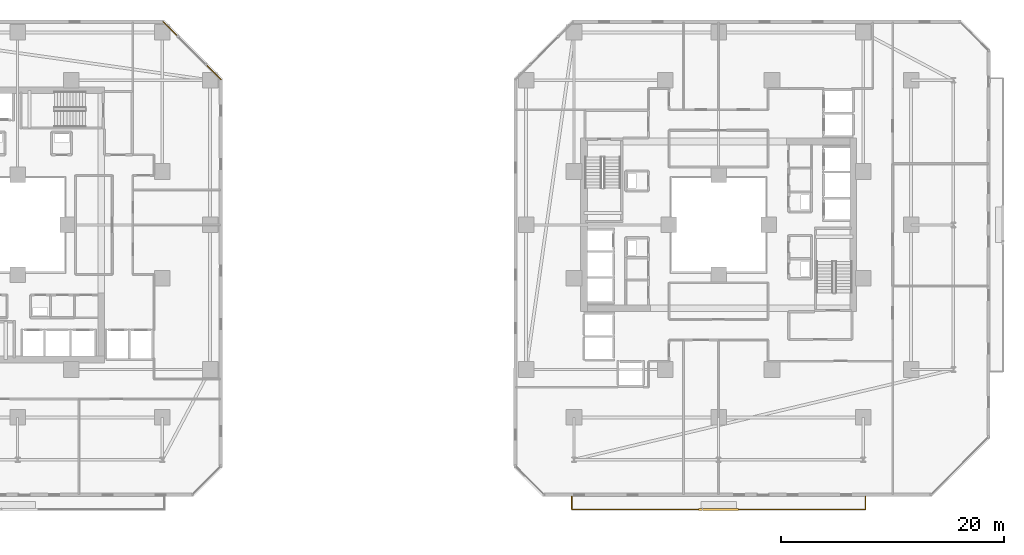
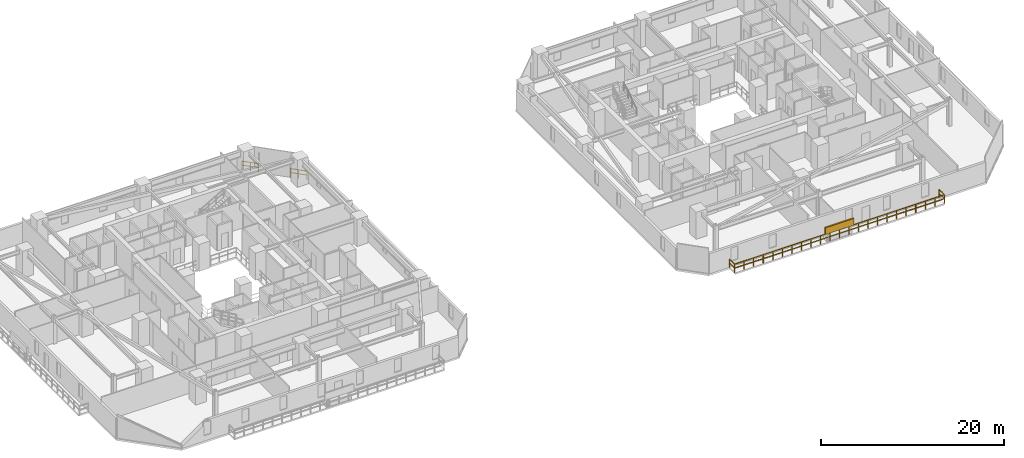
# One storey, part 31 of 33: 3 railings, 1 shading device.
"""IFC4 building model written with IfcOpenShell, lengths in metres."""

import ifcopenshell
import ifcopenshell.guid

model = None  # the IFC model being written
_history = None  # IfcOwnerHistory: only IFC2X3 demands one
_inside = {}  # id of a spatial element -> (the spatial element, [elements in it])
_under = {}  # id of a project, library or spatial element -> (it, [spatial elements below it])
_declared = {}  # id of a project -> (the project, [libraries it declares])
_typed = {}  # id of a type object -> (the type object, [elements of that type])
_made_of = {}  # id of a material, layer set ... -> (it, [elements and type objects made of it])


def new_model(schema):
    """Start an empty IFC model of exactly this schema.

    Asked for "IFC4X3", IfcOpenShell would pick the latest addendum, in which some entities
    have other attributes; the version numbers below select the first issue.
    IFC2X3 requires an IfcOwnerHistory on every rooted entity: one is made here for all.
    """
    global model, _history
    if schema == "IFC4X3":
        model = ifcopenshell.file(schema_version=(4, 3, 0, 0))
    else:
        model = ifcopenshell.file(schema=schema)
    _inside.clear()
    _under.clear()
    _declared.clear()
    _typed.clear()
    _made_of.clear()
    _history = None
    if model.schema == "IFC2X3":
        org = make("IfcOrganization", Name="unknown")
        user = make(
            "IfcPersonAndOrganization",
            ThePerson=make("IfcPerson", FamilyName="unknown"),
            TheOrganization=org,
        )
        app = make(
            "IfcApplication",
            ApplicationDeveloper=org,
            Version="unknown",
            ApplicationFullName="unknown",
            ApplicationIdentifier="unknown",
        )
        _history = make(
            "IfcOwnerHistory",
            OwningUser=user,
            OwningApplication=app,
            ChangeAction="ADDED",
            CreationDate=0,
        )
    return model


def make(cls, **values):
    """One entity of the class cls with the attributes given. An attribute that is None is left unset."""
    return model.create_entity(
        cls, **{name: value for name, value in values.items() if value is not None}
    )


def rooted(cls, **values):
    """An entity with a GlobalId (a new one), such as an element, a storey or a relation."""
    return make(cls, GlobalId=ifcopenshell.guid.new(), OwnerHistory=_history, **values)


def si_unit(unit_type, name, prefix=None):
    """IfcSIUnit, for example si_unit("LENGTHUNIT", "METRE", prefix="MILLI")."""
    return make("IfcSIUnit", UnitType=unit_type, Prefix=prefix, Name=name)


def assignment(units):
    """IfcUnitAssignment: the units of a project."""
    return None if units is None else make("IfcUnitAssignment", Units=units)


def point(xyz):
    """IfcCartesianPoint."""
    return None if xyz is None else make("IfcCartesianPoint", Coordinates=xyz)


def direction(xyz):
    """IfcDirection."""
    return None if xyz is None else make("IfcDirection", DirectionRatios=xyz)


def frame(location, z_axis=None, x_axis=None):
    """IfcAxis2Placement3D, a coordinate frame: its origin and axes. An axis left out is left unset."""
    return make(
        "IfcAxis2Placement3D",
        Location=point(location),
        Axis=direction(z_axis),
        RefDirection=direction(x_axis),
    )


def frame_2d(location, x_axis=None):
    """IfcAxis2Placement2D, a coordinate frame in the plane: its origin and x axis."""
    return make(
        "IfcAxis2Placement2D", Location=point(location), RefDirection=direction(x_axis)
    )


def origin():
    """The frame at (0, 0, 0) with its axes left unset."""
    return frame((0.0, 0.0, 0.0))


def origin_2d():
    """The frame at (0, 0) in the plane with its x axis left unset."""
    return frame_2d((0.0, 0.0))


def place(relative_to, where):
    """IfcLocalPlacement: puts the frame where relative to a parent placement (None: the world)."""
    return make(
        "IfcLocalPlacement", PlacementRelTo=relative_to, RelativePlacement=where
    )


def context(
    kind, dimensions, precision=None, world=None, true_north=None, identifier=None
):
    """IfcGeometricRepresentationContext, for example the 3D "Model" context."""
    return make(
        "IfcGeometricRepresentationContext",
        ContextIdentifier=identifier,
        ContextType=kind,
        CoordinateSpaceDimension=dimensions,
        Precision=precision,
        WorldCoordinateSystem=world,
        TrueNorth=true_north,
    )


def subcontext(parent, identifier, kind, view, scale=None):
    """IfcGeometricRepresentationSubContext, for example "Body" below "Model"."""
    return make(
        "IfcGeometricRepresentationSubContext",
        ContextIdentifier=identifier,
        ContextType=kind,
        ParentContext=parent,
        TargetScale=scale,
        TargetView=view,
    )


def project(units=None, contexts=None):
    """IfcProject with its units and contexts."""
    return rooted(
        "IfcProject",
        Name="project",
        RepresentationContexts=contexts,
        UnitsInContext=assignment(units),
    )


def spatial(cls, under=None, at=None, **own):
    """A site, building, storey or space (cls), placed at a placement, below another one or the project."""
    s = rooted(cls, ObjectPlacement=at, **own)
    if under is not None:
        _under.setdefault(under.id(), (under, []))[1].append(s)
    return s


def profile(cls, at=None, kind="AREA", **sizes):
    """A parametric profile (cls). Its sizes go by their IFC names, for example OverallWidth=200.0."""
    return make(cls, ProfileType=kind, Position=at, **sizes)


def rectangle(**sizes):
    """IfcRectangleProfileDef."""
    return profile("IfcRectangleProfileDef", **sizes)


def extrude(swept, where, along, depth):
    """IfcExtrudedAreaSolid: the profile swept, set in the frame where, extruded along a direction by depth."""
    return make(
        "IfcExtrudedAreaSolid",
        SweptArea=swept,
        Position=where,
        ExtrudedDirection=direction(along),
        Depth=depth,
    )


def shape(context_of_items, identifier, shape_type, items):
    """IfcShapeRepresentation: the items that make up one representation, for example the "Body"."""
    return make(
        "IfcShapeRepresentation",
        ContextOfItems=context_of_items,
        RepresentationIdentifier=identifier,
        RepresentationType=shape_type,
        Items=items,
    )


def material(Name=None, Category=None):
    """IfcMaterial."""
    return make("IfcMaterial", Name=Name, Category=Category)


def made_of(thing, what):
    """Note that an element or type object is made of a material, layer set ...; save() writes the relation."""
    if what is not None:
        _made_of.setdefault(what.id(), (what, []))[1].append(thing)
    return thing


def type_object(cls, material=None, **own):
    """A type object (cls), such as IfcWallType, which elements share."""
    return made_of(rooted(cls, **own), material)


def element(
    cls,
    number,
    at=None,
    inside=None,
    cuts=None,
    type_object=None,
    material=None,
    context=None,
    identifier="Body",
    shape_type=None,
    held_by="IfcProductDefinitionShape",
    body=None,
    shapes=None,
    **own,
):
    """One element of the class cls, such as IfcWall. Its Tag is "e" and its number.

    at: its placement. inside: the storey or other place that contains it. cuts: it is an
    opening in that element (IfcRelVoidsElement). A single representation is given by context,
    identifier, shape_type and body (its items); several are given by shapes. held_by: the class
    of the entity that holds the representations. save() writes the other relations.
    """
    e = rooted(cls, Tag="e%d" % number, ObjectPlacement=at, **own)
    if body is not None:
        shapes = [shape(context, identifier, shape_type, body)]
    if shapes is not None:
        e.Representation = make(held_by, Representations=shapes)
    if inside is not None:
        _inside.setdefault(inside.id(), (inside, []))[1].append(e)
    if cuts is not None:
        rooted(
            "IfcRelVoidsElement", RelatingBuildingElement=cuts, RelatedOpeningElement=e
        )
    if type_object is not None:
        _typed.setdefault(type_object.id(), (type_object, []))[1].append(e)
    return made_of(e, material)


def aggregate(whole, parts):
    """IfcRelAggregates: a whole, such as a stair, and the parts it consists of."""
    return rooted("IfcRelAggregates", RelatingObject=whole, RelatedObjects=parts)


def save(model, path):
    """Write the relations noted so far, then the file.

    IfcRelAggregates (storeys below a building ...), IfcRelContainedInSpatialStructure (elements
    in a storey), IfcRelDefinesByType, IfcRelAssociatesMaterial and IfcRelDeclares: one each for
    every whole, place, type object, material and project.
    """
    for whole, parts in _under.values():
        aggregate(whole, parts)
    for where, things in _inside.values():
        rooted(
            "IfcRelContainedInSpatialStructure",
            RelatedElements=things,
            RelatingStructure=where,
        )
    for kind, things in _typed.values():
        rooted("IfcRelDefinesByType", RelatedObjects=things, RelatingType=kind)
    for what, things in _made_of.values():
        rooted("IfcRelAssociatesMaterial", RelatedObjects=things, RelatingMaterial=what)
    for by, libraries in _declared.values():
        rooted("IfcRelDeclares", RelatingContext=by, RelatedDefinitions=libraries)
    model.write(path)


model = new_model("IFC4")

# Units and contexts
model_context = context("Model", 3, precision=1e-05, world=origin(), true_north=direction((0.0, 1.0)))
body_context = subcontext(model_context, "Body", "Model", "MODEL_VIEW")
ifc_project = project(units=[si_unit("LENGTHUNIT", "METRE"), si_unit("AREAUNIT", "SQUARE_METRE"), si_unit("VOLUMEUNIT", "CUBIC_METRE"), si_unit("PLANEANGLEUNIT", "RADIAN"), si_unit("MASSUNIT", "GRAM", prefix="KILO")], contexts=[model_context])

# Site, building, storey
site_placement = place(None, origin())
site = spatial("IfcSite", under=ifc_project, at=site_placement, CompositionType="ELEMENT")
building_placement = place(site_placement, origin())
building = spatial("IfcBuilding", under=site, at=building_placement, Name="Thornwick Lancets Civic Towers", CompositionType="ELEMENT")
storey_placement = place(building_placement, frame((0.0, 0.0, 38.699951171875)))
storey = spatial("IfcBuildingStorey", under=building, at=storey_placement, Name="L09", CompositionType="ELEMENT", Elevation=38.699951171875)

# Railings
ifc_material_1 = material(Name="Terracotta-capped laminated glass balustrade S355", Category="masonry")
railing_type = type_object("IfcRailingType", Name="RAIL_TERR_GUARD", PredefinedType="GUARDRAIL", material=ifc_material_1)
railing_1_placement = place(storey_placement, frame((43.75634765625, 40.073486328125, 0.0)))
element("IfcRailing", 1, at=railing_1_placement, inside=storey, type_object=railing_type, Name="L09 Tower A Chamfer Spandrel Guard E3-1", PredefinedType="GUARDRAIL", context=body_context, shape_type="SweptSolid", body=[
    extrude(rectangle(XDim=0.048095703125, YDim=0.048095703125, at=origin_2d()), frame((0.0, 0.0, 1.1259765625), z_axis=(-0.7071719073, 0.707041649074, 0.0), x_axis=(-0.707041649074, -0.7071719073, 0.0)), (0.0, 0.0, 1.0), 1.874267578125),
    extrude(rectangle(XDim=0.0419921875, YDim=0.0419921875, at=origin_2d()), frame((-0.026611328125, 0.026611328125, 0.597900390625), z_axis=(-0.7071719073, 0.707041649074, 0.0), x_axis=(-0.707041649074, -0.7071719073, 0.0)), (0.0, 0.0, 1.0), 0.862060546875),
    extrude(rectangle(XDim=0.0419921875, YDim=0.0419921875, at=origin_2d()), frame((-0.689208984375, 0.689208984375, 0.597900390625), z_axis=(-0.7071719073, 0.707041649074, 0.0), x_axis=(-0.707041649074, -0.7071719073, 0.0)), (0.0, 0.0, 1.0), 0.862060546875),
    extrude(rectangle(XDim=0.0419921875, YDim=0.0419921875, at=origin_2d()), origin(), (0.0, 0.0, 1.0), 1.095703125),
    extrude(rectangle(XDim=0.0419921875, YDim=0.0419921875, at=origin_2d()), frame((-0.66259765625, 0.66259765625, 0.0)), (0.0, 0.0, 1.0), 1.095703125),
    extrude(rectangle(XDim=0.0419921875, YDim=0.0419921875, at=origin_2d()), frame((-1.325439453125, 1.3251953125, 0.0)), (0.0, 0.0, 1.0), 1.095703125),
])
railing_2_placement = place(storey_placement, frame((39.898681640625, 43.930908203125, 0.0)))
element("IfcRailing", 2, at=railing_2_placement, inside=storey, type_object=railing_type, Name="L09 Tower A Chamfer Spandrel Guard E3-2", PredefinedType="GUARDRAIL", context=body_context, shape_type="SweptSolid", body=[
    extrude(rectangle(XDim=0.048095703125, YDim=0.048095703125, at=origin_2d()), frame((0.0, 0.0, 1.1259765625), z_axis=(-0.707041649074, 0.7071719073, 0.0), x_axis=(-0.7071719073, -0.707041649074, 0.0)), (0.0, 0.0, 1.0), 1.874267578125),
    extrude(rectangle(XDim=0.0419921875, YDim=0.0419921875, at=origin_2d()), frame((-0.026611328125, 0.026611328125, 0.597900390625), z_axis=(-0.707041649074, 0.7071719073, 0.0), x_axis=(-0.7071719073, -0.707041649074, 0.0)), (0.0, 0.0, 1.0), 0.862060546875),
    extrude(rectangle(XDim=0.0419921875, YDim=0.0419921875, at=origin_2d()), frame((-0.689208984375, 0.689208984375, 0.597900390625), z_axis=(-0.707041649074, 0.7071719073, 0.0), x_axis=(-0.7071719073, -0.707041649074, 0.0)), (0.0, 0.0, 1.0), 0.862060546875),
    extrude(rectangle(XDim=0.0419921875, YDim=0.0419921875, at=origin_2d()), origin(), (0.0, 0.0, 1.0), 1.095703125),
    extrude(rectangle(XDim=0.0419921875, YDim=0.0419921875, at=origin_2d()), frame((-0.66259765625, 0.66259765625, 0.0)), (0.0, 0.0, 1.0), 1.095703125),
    extrude(rectangle(XDim=0.0419921875, YDim=0.0419921875, at=origin_2d()), frame((-1.3251953125, 1.325439453125, 0.0)), (0.0, 0.0, 1.0), 1.095703125),
])
railing_3_placement = place(storey_placement, frame((75.300048828125, 2.60009765625, 0.0)))
element("IfcRailing", 3, at=railing_3_placement, inside=storey, type_object=railing_type, Name="L09 Tower B Balcony Guard S", PredefinedType="GUARDRAIL", context=body_context, shape_type="SweptSolid", body=[
    extrude(rectangle(XDim=0.048095703125, YDim=0.048095703125, at=origin_2d()), frame((0.0, 0.0, 1.1259765625), z_axis=(0.0, -1.0, 0.0), x_axis=(1.0, 0.0, 0.0)), (0.0, 0.0, 1.0), 1.138916015625),
    extrude(rectangle(XDim=0.0419921875, YDim=0.0419921875, at=origin_2d()), frame((0.0, -0.03759765625, 0.597900390625), z_axis=(0.0, -1.0, 0.0), x_axis=(1.0, 0.0, 0.0)), (0.0, 0.0, 1.0), 1.09521484375),
    extrude(rectangle(XDim=0.048095703125, YDim=0.048095703125, at=origin_2d()), frame((0.03125, -1.170166015625, 1.1259765625), z_axis=(1.0, 0.0, 0.0), x_axis=(0.0, 1.0, 0.0)), (0.0, 0.0, 1.0), 26.33740234375),
    extrude(rectangle(XDim=0.0419921875, YDim=0.0419921875, at=origin_2d()), frame((0.03759765625, -1.170166015625, 0.597900390625), z_axis=(1.0, 0.0, 0.0), x_axis=(0.0, 1.0, 0.0)), (0.0, 0.0, 1.0), 1.125),
    extrude(rectangle(XDim=0.0419921875, YDim=0.0419921875, at=origin_2d()), frame((1.237548828125, -1.170166015625, 0.597900390625), z_axis=(1.0, 0.0, 0.0), x_axis=(0.0, 1.0, 0.0)), (0.0, 0.0, 1.0), 1.125),
    extrude(rectangle(XDim=0.0419921875, YDim=0.0419921875, at=origin_2d()), frame((2.4375, -1.170166015625, 0.597900390625), z_axis=(1.0, 0.0, 0.0), x_axis=(0.0, 1.0, 0.0)), (0.0, 0.0, 1.0), 1.125),
    extrude(rectangle(XDim=0.0419921875, YDim=0.0419921875, at=origin_2d()), frame((3.637451171875, -1.170166015625, 0.597900390625), z_axis=(1.0, 0.0, 0.0), x_axis=(0.0, 1.0, 0.0)), (0.0, 0.0, 1.0), 1.125),
    extrude(rectangle(XDim=0.0419921875, YDim=0.0419921875, at=origin_2d()), frame((4.83740234375, -1.170166015625, 0.597900390625), z_axis=(1.0, 0.0, 0.0), x_axis=(0.0, 1.0, 0.0)), (0.0, 0.0, 1.0), 1.125),
    extrude(rectangle(XDim=0.0419921875, YDim=0.0419921875, at=origin_2d()), frame((6.037353515625, -1.170166015625, 0.597900390625), z_axis=(1.0, 0.0, 0.0), x_axis=(0.0, 1.0, 0.0)), (0.0, 0.0, 1.0), 1.125),
    extrude(rectangle(XDim=0.0419921875, YDim=0.0419921875, at=origin_2d()), frame((7.237548828125, -1.170166015625, 0.597900390625), z_axis=(1.0, 0.0, 0.0), x_axis=(0.0, 1.0, 0.0)), (0.0, 0.0, 1.0), 1.125),
    extrude(rectangle(XDim=0.0419921875, YDim=0.0419921875, at=origin_2d()), frame((8.4375, -1.170166015625, 0.597900390625), z_axis=(1.0, 0.0, 0.0), x_axis=(0.0, 1.0, 0.0)), (0.0, 0.0, 1.0), 1.125),
    extrude(rectangle(XDim=0.0419921875, YDim=0.0419921875, at=origin_2d()), frame((9.637451171875, -1.170166015625, 0.597900390625), z_axis=(1.0, 0.0, 0.0), x_axis=(0.0, 1.0, 0.0)), (0.0, 0.0, 1.0), 1.125),
    extrude(rectangle(XDim=0.0419921875, YDim=0.0419921875, at=origin_2d()), frame((10.83740234375, -1.170166015625, 0.597900390625), z_axis=(1.0, 0.0, 0.0), x_axis=(0.0, 1.0, 0.0)), (0.0, 0.0, 1.0), 1.125),
    extrude(rectangle(XDim=0.0419921875, YDim=0.0419921875, at=origin_2d()), frame((12.037353515625, -1.170166015625, 0.597900390625), z_axis=(1.0, 0.0, 0.0), x_axis=(0.0, 1.0, 0.0)), (0.0, 0.0, 1.0), 1.125),
    extrude(rectangle(XDim=0.0419921875, YDim=0.0419921875, at=origin_2d()), frame((13.237548828125, -1.170166015625, 0.597900390625), z_axis=(1.0, 0.0, 0.0), x_axis=(0.0, 1.0, 0.0)), (0.0, 0.0, 1.0), 1.125),
    extrude(rectangle(XDim=0.0419921875, YDim=0.0419921875, at=origin_2d()), frame((14.4375, -1.170166015625, 0.597900390625), z_axis=(1.0, 0.0, 0.0), x_axis=(0.0, 1.0, 0.0)), (0.0, 0.0, 1.0), 1.125),
    extrude(rectangle(XDim=0.0419921875, YDim=0.0419921875, at=origin_2d()), frame((15.637451171875, -1.170166015625, 0.597900390625), z_axis=(1.0, 0.0, 0.0), x_axis=(0.0, 1.0, 0.0)), (0.0, 0.0, 1.0), 1.125),
    extrude(rectangle(XDim=0.0419921875, YDim=0.0419921875, at=origin_2d()), frame((16.83740234375, -1.170166015625, 0.597900390625), z_axis=(1.0, 0.0, 0.0), x_axis=(0.0, 1.0, 0.0)), (0.0, 0.0, 1.0), 1.125),
    extrude(rectangle(XDim=0.0419921875, YDim=0.0419921875, at=origin_2d()), frame((18.037353515625, -1.170166015625, 0.597900390625), z_axis=(1.0, 0.0, 0.0), x_axis=(0.0, 1.0, 0.0)), (0.0, 0.0, 1.0), 1.125),
    extrude(rectangle(XDim=0.0419921875, YDim=0.0419921875, at=origin_2d()), frame((19.2373046875, -1.170166015625, 0.597900390625), z_axis=(1.0, 0.0, 0.0), x_axis=(0.0, 1.0, 0.0)), (0.0, 0.0, 1.0), 1.125),
    extrude(rectangle(XDim=0.0419921875, YDim=0.0419921875, at=origin_2d()), frame((20.4375, -1.170166015625, 0.597900390625), z_axis=(1.0, 0.0, 0.0), x_axis=(0.0, 1.0, 0.0)), (0.0, 0.0, 1.0), 1.125),
    extrude(rectangle(XDim=0.0419921875, YDim=0.0419921875, at=origin_2d()), frame((21.637451171875, -1.170166015625, 0.597900390625), z_axis=(1.0, 0.0, 0.0), x_axis=(0.0, 1.0, 0.0)), (0.0, 0.0, 1.0), 1.125),
    extrude(rectangle(XDim=0.0419921875, YDim=0.0419921875, at=origin_2d()), frame((22.83740234375, -1.170166015625, 0.597900390625), z_axis=(1.0, 0.0, 0.0), x_axis=(0.0, 1.0, 0.0)), (0.0, 0.0, 1.0), 1.125),
    extrude(rectangle(XDim=0.0419921875, YDim=0.0419921875, at=origin_2d()), frame((24.037353515625, -1.170166015625, 0.597900390625), z_axis=(1.0, 0.0, 0.0), x_axis=(0.0, 1.0, 0.0)), (0.0, 0.0, 1.0), 1.125),
    extrude(rectangle(XDim=0.0419921875, YDim=0.0419921875, at=origin_2d()), frame((25.2373046875, -1.170166015625, 0.597900390625), z_axis=(1.0, 0.0, 0.0), x_axis=(0.0, 1.0, 0.0)), (0.0, 0.0, 1.0), 1.125),
    extrude(rectangle(XDim=0.048095703125, YDim=0.048095703125, at=origin_2d()), frame((26.39990234375, -1.138916015625, 1.1259765625), z_axis=(0.0, 1.0, 0.0), x_axis=(-1.0, 0.0, 0.0)), (0.0, 0.0, 1.0), 1.138916015625),
    extrude(rectangle(XDim=0.0419921875, YDim=0.0419921875, at=origin_2d()), frame((26.39990234375, -1.132568359375, 0.597900390625), z_axis=(0.0, 1.0, 0.0), x_axis=(-1.0, 0.0, 0.0)), (0.0, 0.0, 1.0), 1.09521484375),
    extrude(rectangle(XDim=0.0419921875, YDim=0.0419921875, at=origin_2d()), origin(), (0.0, 0.0, 1.0), 1.095703125),
    extrude(rectangle(XDim=0.0419921875, YDim=0.0419921875, at=origin_2d()), frame((0.0, -1.170166015625, 0.0)), (0.0, 0.0, 1.0), 1.095703125),
    extrude(rectangle(XDim=0.0419921875, YDim=0.0419921875, at=origin_2d()), frame((1.199951171875, -1.170166015625, 0.0)), (0.0, 0.0, 1.0), 1.095703125),
    extrude(rectangle(XDim=0.0419921875, YDim=0.0419921875, at=origin_2d()), frame((2.39990234375, -1.170166015625, 0.0)), (0.0, 0.0, 1.0), 1.095703125),
    extrude(rectangle(XDim=0.0419921875, YDim=0.0419921875, at=origin_2d()), frame((3.60009765625, -1.170166015625, 0.0)), (0.0, 0.0, 1.0), 1.095703125),
    extrude(rectangle(XDim=0.0419921875, YDim=0.0419921875, at=origin_2d()), frame((4.800048828125, -1.170166015625, 0.0)), (0.0, 0.0, 1.0), 1.095703125),
    extrude(rectangle(XDim=0.0419921875, YDim=0.0419921875, at=origin_2d()), frame((6.0, -1.170166015625, 0.0)), (0.0, 0.0, 1.0), 1.095703125),
    extrude(rectangle(XDim=0.0419921875, YDim=0.0419921875, at=origin_2d()), frame((7.199951171875, -1.170166015625, 0.0)), (0.0, 0.0, 1.0), 1.095703125),
    extrude(rectangle(XDim=0.0419921875, YDim=0.0419921875, at=origin_2d()), frame((8.39990234375, -1.170166015625, 0.0)), (0.0, 0.0, 1.0), 1.095703125),
    extrude(rectangle(XDim=0.0419921875, YDim=0.0419921875, at=origin_2d()), frame((9.599853515625, -1.170166015625, 0.0)), (0.0, 0.0, 1.0), 1.095703125),
    extrude(rectangle(XDim=0.0419921875, YDim=0.0419921875, at=origin_2d()), frame((10.800048828125, -1.170166015625, 0.0)), (0.0, 0.0, 1.0), 1.095703125),
    extrude(rectangle(XDim=0.0419921875, YDim=0.0419921875, at=origin_2d()), frame((12.0, -1.170166015625, 0.0)), (0.0, 0.0, 1.0), 1.095703125),
    extrude(rectangle(XDim=0.0419921875, YDim=0.0419921875, at=origin_2d()), frame((13.199951171875, -1.170166015625, 0.0)), (0.0, 0.0, 1.0), 1.095703125),
    extrude(rectangle(XDim=0.0419921875, YDim=0.0419921875, at=origin_2d()), frame((14.39990234375, -1.170166015625, 0.0)), (0.0, 0.0, 1.0), 1.095703125),
    extrude(rectangle(XDim=0.0419921875, YDim=0.0419921875, at=origin_2d()), frame((15.599853515625, -1.170166015625, 0.0)), (0.0, 0.0, 1.0), 1.095703125),
    extrude(rectangle(XDim=0.0419921875, YDim=0.0419921875, at=origin_2d()), frame((16.800048828125, -1.170166015625, 0.0)), (0.0, 0.0, 1.0), 1.095703125),
    extrude(rectangle(XDim=0.0419921875, YDim=0.0419921875, at=origin_2d()), frame((18.0, -1.170166015625, 0.0)), (0.0, 0.0, 1.0), 1.095703125),
    extrude(rectangle(XDim=0.0419921875, YDim=0.0419921875, at=origin_2d()), frame((19.199951171875, -1.170166015625, 0.0)), (0.0, 0.0, 1.0), 1.095703125),
    extrude(rectangle(XDim=0.0419921875, YDim=0.0419921875, at=origin_2d()), frame((20.39990234375, -1.170166015625, 0.0)), (0.0, 0.0, 1.0), 1.095703125),
    extrude(rectangle(XDim=0.0419921875, YDim=0.0419921875, at=origin_2d()), frame((21.599853515625, -1.170166015625, 0.0)), (0.0, 0.0, 1.0), 1.095703125),
    extrude(rectangle(XDim=0.0419921875, YDim=0.0419921875, at=origin_2d()), frame((22.7998046875, -1.170166015625, 0.0)), (0.0, 0.0, 1.0), 1.095703125),
    extrude(rectangle(XDim=0.0419921875, YDim=0.0419921875, at=origin_2d()), frame((24.0, -1.170166015625, 0.0)), (0.0, 0.0, 1.0), 1.095703125),
    extrude(rectangle(XDim=0.0419921875, YDim=0.0419921875, at=origin_2d()), frame((25.199951171875, -1.170166015625, 0.0)), (0.0, 0.0, 1.0), 1.095703125),
    extrude(rectangle(XDim=0.0419921875, YDim=0.0419921875, at=origin_2d()), frame((26.39990234375, -1.170166015625, 0.0)), (0.0, 0.0, 1.0), 1.095703125),
    extrude(rectangle(XDim=0.0419921875, YDim=0.0419921875, at=origin_2d()), frame((26.39990234375, 0.0, 0.0)), (0.0, 0.0, 1.0), 1.095703125),
])

# Shading device
ifc_material_2 = material(Name="Extruded terracotta baguette solar screen", Category="masonry")
shading_device_type = type_object("IfcShadingDeviceType", Name="SHADE_BAGUETTE", PredefinedType="JALOUSIE", material=ifc_material_2)
shading_device_placement = place(storey_placement, frame((88.5, 1.43994140625, 1.1201171875), z_axis=(0.0, 0.0, 1.0), x_axis=(1.0, 0.0, 0.0)))
element("IfcShadingDevice", 4, at=shading_device_placement, inside=storey, type_object=shading_device_type, Name="L09 Tower B Terracotta Baguette Screen S", PredefinedType="JALOUSIE", context=body_context, shape_type="SweptSolid", body=[
    extrude(rectangle(XDim=3.60009765625, YDim=0.179931640625, at=origin_2d()), origin(), (0.0, 0.0, 1.0), 0.89990234375),
])

save(model, "model.ifc")
